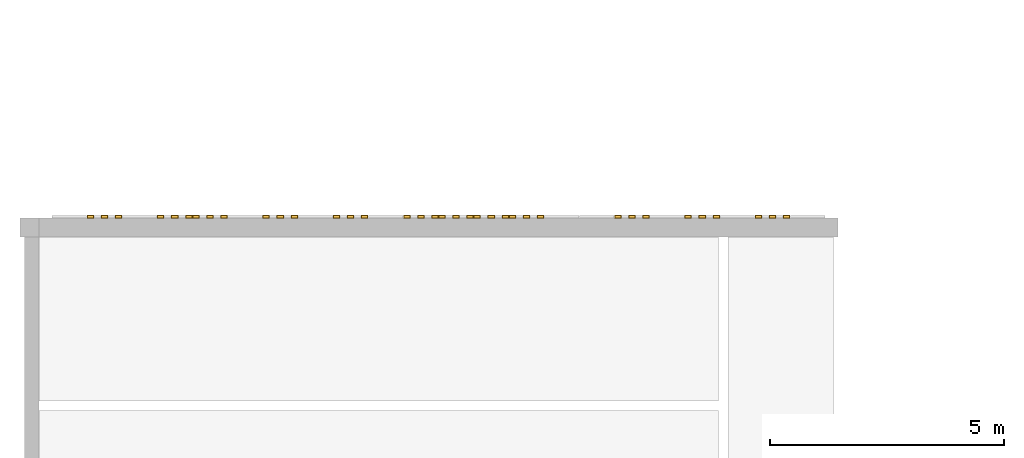
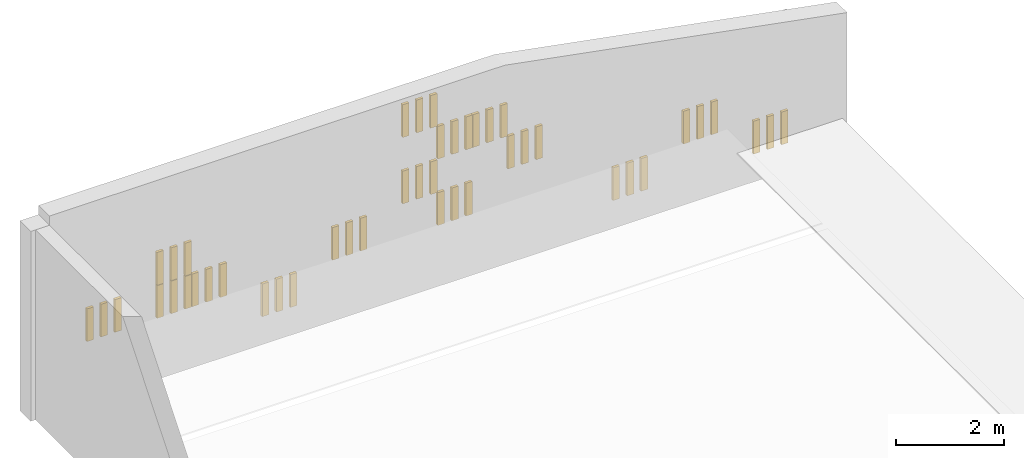
# One storey, part 85 of 92: 1 covering.
"""IFC4 building model written with IfcOpenShell, lengths in metres."""

from ifc_helpers import new_model, si_unit, direction, frame, origin, origin_2d, place, context, subcontext, project, spatial, rectangle, extrude, material, layer, layer_set, type_object, element, save


model = new_model("IFC4")

# Units and contexts
model_context = context("Model", 3, precision=1e-05, world=origin(), true_north=direction((0.0, 1.0)))
body_context = subcontext(model_context, "Body", "Model", "MODEL_VIEW")
ifc_project = project(units=[si_unit("LENGTHUNIT", "METRE"), si_unit("AREAUNIT", "SQUARE_METRE"), si_unit("VOLUMEUNIT", "CUBIC_METRE"), si_unit("PLANEANGLEUNIT", "RADIAN"), si_unit("MASSUNIT", "GRAM", prefix="KILO")], contexts=[model_context])

# Site, building, storey
site_placement = place(None, origin())
site = spatial("IfcSite", under=ifc_project, at=site_placement, CompositionType="ELEMENT")
building_placement = place(site_placement, origin())
building = spatial("IfcBuilding", under=site, at=building_placement, Name="Sun Court Science Centre", CompositionType="ELEMENT")
storey_placement = place(building_placement, frame((0.0, 0.0, 11.25)))
storey = spatial("IfcBuildingStorey", under=building, at=storey_placement, Name="L02", CompositionType="ELEMENT", Elevation=11.25)

# Covering
ifc_material = material(Name="Red sandstone", Category="masonry")
ifc_layer = layer(ifc_material, 0.06005859375)
ifc_layer_set = layer_set([ifc_layer], Name="Red sandstone")
covering_type = type_object("IfcCoveringType", Name="Red sandstone jali relief 750", PredefinedType="CLADDING", material=ifc_layer_set)
covering_placement = place(storey_placement, frame((0.0, 0.0, -11.25)))
element("IfcCovering", 1, at=covering_placement, inside=storey, type_object=covering_type, Name="Red sandstone jali relief theatre-STAGE-north face-L02 L02", PredefinedType="CLADDING", context=body_context, shape_type="SweptSolid", body=[
    extrude(rectangle(XDim=0.139892578125, YDim=0.06005859375, at=origin_2d()), frame((5.25, 72.030029296875, 11.2548828125), z_axis=(0.0, 0.0, 1.0), x_axis=(1.0, 0.0, 0.0)), (0.0, 0.0, 1.0), 0.739990234375),
    extrude(rectangle(XDim=0.139892578125, YDim=0.06005859375, at=origin_2d()), frame((5.550048828125, 72.030029296875, 11.2548828125), z_axis=(0.0, 0.0, 1.0), x_axis=(1.0, 0.0, 0.0)), (0.0, 0.0, 1.0), 0.739990234375),
    extrude(rectangle(XDim=0.139892578125, YDim=0.06005859375, at=origin_2d()), frame((5.85009765625, 72.030029296875, 11.2548828125), z_axis=(0.0, 0.0, 1.0), x_axis=(1.0, 0.0, 0.0)), (0.0, 0.0, 1.0), 0.739990234375),
    extrude(rectangle(XDim=0.139892578125, YDim=0.06005859375, at=origin_2d()), frame((12.75, 72.030029296875, 11.2548828125), z_axis=(0.0, 0.0, 1.0), x_axis=(1.0, 0.0, 0.0)), (0.0, 0.0, 1.0), 0.739990234375),
    extrude(rectangle(XDim=0.139892578125, YDim=0.06005859375, at=origin_2d()), frame((13.050048828125, 72.030029296875, 11.2548828125), z_axis=(0.0, 0.0, 1.0), x_axis=(1.0, 0.0, 0.0)), (0.0, 0.0, 1.0), 0.739990234375),
    extrude(rectangle(XDim=0.139892578125, YDim=0.06005859375, at=origin_2d()), frame((13.35009765625, 72.030029296875, 11.2548828125), z_axis=(0.0, 0.0, 1.0), x_axis=(1.0, 0.0, 0.0)), (0.0, 0.0, 1.0), 0.739990234375),
    extrude(rectangle(XDim=0.139892578125, YDim=0.06005859375, at=origin_2d()), frame((15.75, 72.030029296875, 11.2548828125), z_axis=(0.0, 0.0, 1.0), x_axis=(1.0, 0.0, 0.0)), (0.0, 0.0, 1.0), 0.739990234375),
    extrude(rectangle(XDim=0.139892578125, YDim=0.06005859375, at=origin_2d()), frame((16.050048828125, 72.030029296875, 11.2548828125), z_axis=(0.0, 0.0, 1.0), x_axis=(1.0, 0.0, 0.0)), (0.0, 0.0, 1.0), 0.739990234375),
    extrude(rectangle(XDim=0.139892578125, YDim=0.06005859375, at=origin_2d()), frame((16.35009765625, 72.030029296875, 11.2548828125), z_axis=(0.0, 0.0, 1.0), x_axis=(1.0, 0.0, 0.0)), (0.0, 0.0, 1.0), 0.739990234375),
    extrude(rectangle(XDim=0.139892578125, YDim=0.06005859375, at=origin_2d()), frame((1.5, 72.030029296875, 12.0048828125), z_axis=(0.0, 0.0, 1.0), x_axis=(1.0, 0.0, 0.0)), (0.0, 0.0, 1.0), 0.739990234375),
    extrude(rectangle(XDim=0.139892578125, YDim=0.06005859375, at=origin_2d()), frame((1.800048828125, 72.030029296875, 12.0048828125), z_axis=(0.0, 0.0, 1.0), x_axis=(1.0, 0.0, 0.0)), (0.0, 0.0, 1.0), 0.739990234375),
    extrude(rectangle(XDim=0.139892578125, YDim=0.06005859375, at=origin_2d()), frame((2.10009765625, 72.030029296875, 12.0048828125), z_axis=(0.0, 0.0, 1.0), x_axis=(1.0, 0.0, 0.0)), (0.0, 0.0, 1.0), 0.739990234375),
    extrude(rectangle(XDim=0.139892578125, YDim=0.06005859375, at=origin_2d()), frame((3.0, 72.030029296875, 12.0048828125), z_axis=(0.0, 0.0, 1.0), x_axis=(1.0, 0.0, 0.0)), (0.0, 0.0, 1.0), 0.739990234375),
    extrude(rectangle(XDim=0.139892578125, YDim=0.06005859375, at=origin_2d()), frame((3.300048828125, 72.030029296875, 12.0048828125), z_axis=(0.0, 0.0, 1.0), x_axis=(1.0, 0.0, 0.0)), (0.0, 0.0, 1.0), 0.739990234375),
    extrude(rectangle(XDim=0.139892578125, YDim=0.06005859375, at=origin_2d()), frame((3.60009765625, 72.030029296875, 12.0048828125), z_axis=(0.0, 0.0, 1.0), x_axis=(1.0, 0.0, 0.0)), (0.0, 0.0, 1.0), 0.739990234375),
    extrude(rectangle(XDim=0.139892578125, YDim=0.06005859375, at=origin_2d()), frame((3.75, 72.030029296875, 12.0048828125), z_axis=(0.0, 0.0, 1.0), x_axis=(1.0, 0.0, 0.0)), (0.0, 0.0, 1.0), 0.739990234375),
    extrude(rectangle(XDim=0.139892578125, YDim=0.06005859375, at=origin_2d()), frame((4.050048828125, 72.030029296875, 12.0048828125), z_axis=(0.0, 0.0, 1.0), x_axis=(1.0, 0.0, 0.0)), (0.0, 0.0, 1.0), 0.739990234375),
    extrude(rectangle(XDim=0.139892578125, YDim=0.06005859375, at=origin_2d()), frame((4.35009765625, 72.030029296875, 12.0048828125), z_axis=(0.0, 0.0, 1.0), x_axis=(1.0, 0.0, 0.0)), (0.0, 0.0, 1.0), 0.739990234375),
    extrude(rectangle(XDim=0.139892578125, YDim=0.06005859375, at=origin_2d()), frame((6.75, 72.030029296875, 12.0048828125), z_axis=(0.0, 0.0, 1.0), x_axis=(1.0, 0.0, 0.0)), (0.0, 0.0, 1.0), 0.739990234375),
    extrude(rectangle(XDim=0.139892578125, YDim=0.06005859375, at=origin_2d()), frame((7.050048828125, 72.030029296875, 12.0048828125), z_axis=(0.0, 0.0, 1.0), x_axis=(1.0, 0.0, 0.0)), (0.0, 0.0, 1.0), 0.739990234375),
    extrude(rectangle(XDim=0.139892578125, YDim=0.06005859375, at=origin_2d()), frame((7.35009765625, 72.030029296875, 12.0048828125), z_axis=(0.0, 0.0, 1.0), x_axis=(1.0, 0.0, 0.0)), (0.0, 0.0, 1.0), 0.739990234375),
    extrude(rectangle(XDim=0.139892578125, YDim=0.06005859375, at=origin_2d()), frame((9.0, 72.030029296875, 12.0048828125), z_axis=(0.0, 0.0, 1.0), x_axis=(1.0, 0.0, 0.0)), (0.0, 0.0, 1.0), 0.739990234375),
    extrude(rectangle(XDim=0.139892578125, YDim=0.06005859375, at=origin_2d()), frame((9.300048828125, 72.030029296875, 12.0048828125), z_axis=(0.0, 0.0, 1.0), x_axis=(1.0, 0.0, 0.0)), (0.0, 0.0, 1.0), 0.739990234375),
    extrude(rectangle(XDim=0.139892578125, YDim=0.06005859375, at=origin_2d()), frame((9.60009765625, 72.030029296875, 12.0048828125), z_axis=(0.0, 0.0, 1.0), x_axis=(1.0, 0.0, 0.0)), (0.0, 0.0, 1.0), 0.739990234375),
    extrude(rectangle(XDim=0.139892578125, YDim=0.06005859375, at=origin_2d()), frame((14.25, 72.030029296875, 12.0048828125), z_axis=(0.0, 0.0, 1.0), x_axis=(1.0, 0.0, 0.0)), (0.0, 0.0, 1.0), 0.739990234375),
    extrude(rectangle(XDim=0.139892578125, YDim=0.06005859375, at=origin_2d()), frame((14.550048828125, 72.030029296875, 12.0048828125), z_axis=(0.0, 0.0, 1.0), x_axis=(1.0, 0.0, 0.0)), (0.0, 0.0, 1.0), 0.739990234375),
    extrude(rectangle(XDim=0.139892578125, YDim=0.06005859375, at=origin_2d()), frame((14.85009765625, 72.030029296875, 12.0048828125), z_axis=(0.0, 0.0, 1.0), x_axis=(1.0, 0.0, 0.0)), (0.0, 0.0, 1.0), 0.739990234375),
    extrude(rectangle(XDim=0.139892578125, YDim=0.06005859375, at=origin_2d()), frame((3.0, 72.030029296875, 12.7548828125), z_axis=(0.0, 0.0, 1.0), x_axis=(1.0, 0.0, 0.0)), (0.0, 0.0, 1.0), 0.739990234375),
    extrude(rectangle(XDim=0.139892578125, YDim=0.06005859375, at=origin_2d()), frame((3.300048828125, 72.030029296875, 12.7548828125), z_axis=(0.0, 0.0, 1.0), x_axis=(1.0, 0.0, 0.0)), (0.0, 0.0, 1.0), 0.739990234375),
    extrude(rectangle(XDim=0.139892578125, YDim=0.06005859375, at=origin_2d()), frame((3.60009765625, 72.030029296875, 12.7548828125), z_axis=(0.0, 0.0, 1.0), x_axis=(1.0, 0.0, 0.0)), (0.0, 0.0, 1.0), 0.739990234375),
    extrude(rectangle(XDim=0.139892578125, YDim=0.06005859375, at=origin_2d()), frame((8.25, 72.030029296875, 12.7548828125), z_axis=(0.0, 0.0, 1.0), x_axis=(1.0, 0.0, 0.0)), (0.0, 0.0, 1.0), 0.739990234375),
    extrude(rectangle(XDim=0.139892578125, YDim=0.06005859375, at=origin_2d()), frame((8.550048828125, 72.030029296875, 12.7548828125), z_axis=(0.0, 0.0, 1.0), x_axis=(1.0, 0.0, 0.0)), (0.0, 0.0, 1.0), 0.739990234375),
    extrude(rectangle(XDim=0.139892578125, YDim=0.06005859375, at=origin_2d()), frame((8.85009765625, 72.030029296875, 12.7548828125), z_axis=(0.0, 0.0, 1.0), x_axis=(1.0, 0.0, 0.0)), (0.0, 0.0, 1.0), 0.739990234375),
    extrude(rectangle(XDim=0.139892578125, YDim=0.06005859375, at=origin_2d()), frame((10.5, 72.030029296875, 12.7548828125), z_axis=(0.0, 0.0, 1.0), x_axis=(1.0, 0.0, 0.0)), (0.0, 0.0, 1.0), 0.739990234375),
    extrude(rectangle(XDim=0.139892578125, YDim=0.06005859375, at=origin_2d()), frame((10.800048828125, 72.030029296875, 12.7548828125), z_axis=(0.0, 0.0, 1.0), x_axis=(1.0, 0.0, 0.0)), (0.0, 0.0, 1.0), 0.739990234375),
    extrude(rectangle(XDim=0.139892578125, YDim=0.06005859375, at=origin_2d()), frame((11.10009765625, 72.030029296875, 12.7548828125), z_axis=(0.0, 0.0, 1.0), x_axis=(1.0, 0.0, 0.0)), (0.0, 0.0, 1.0), 0.739990234375),
    extrude(rectangle(XDim=0.139892578125, YDim=0.06005859375, at=origin_2d()), frame((9.0, 72.030029296875, 13.5048828125), z_axis=(0.0, 0.0, 1.0), x_axis=(1.0, 0.0, 0.0)), (0.0, 0.0, 1.0), 0.739990234375),
    extrude(rectangle(XDim=0.139892578125, YDim=0.06005859375, at=origin_2d()), frame((9.300048828125, 72.030029296875, 13.5048828125), z_axis=(0.0, 0.0, 1.0), x_axis=(1.0, 0.0, 0.0)), (0.0, 0.0, 1.0), 0.739990234375),
    extrude(rectangle(XDim=0.139892578125, YDim=0.06005859375, at=origin_2d()), frame((9.60009765625, 72.030029296875, 13.5048828125), z_axis=(0.0, 0.0, 1.0), x_axis=(1.0, 0.0, 0.0)), (0.0, 0.0, 1.0), 0.739990234375),
    extrude(rectangle(XDim=0.139892578125, YDim=0.06005859375, at=origin_2d()), frame((9.75, 72.030029296875, 13.5048828125), z_axis=(0.0, 0.0, 1.0), x_axis=(1.0, 0.0, 0.0)), (0.0, 0.0, 1.0), 0.739990234375),
    extrude(rectangle(XDim=0.139892578125, YDim=0.06005859375, at=origin_2d()), frame((10.050048828125, 72.030029296875, 13.5048828125), z_axis=(0.0, 0.0, 1.0), x_axis=(1.0, 0.0, 0.0)), (0.0, 0.0, 1.0), 0.739990234375),
    extrude(rectangle(XDim=0.139892578125, YDim=0.06005859375, at=origin_2d()), frame((10.35009765625, 72.030029296875, 13.5048828125), z_axis=(0.0, 0.0, 1.0), x_axis=(1.0, 0.0, 0.0)), (0.0, 0.0, 1.0), 0.739990234375),
    extrude(rectangle(XDim=0.139892578125, YDim=0.06005859375, at=origin_2d()), frame((8.25, 72.030029296875, 14.2548828125), z_axis=(0.0, 0.0, 1.0), x_axis=(1.0, 0.0, 0.0)), (0.0, 0.0, 1.0), 0.739990234375),
    extrude(rectangle(XDim=0.139892578125, YDim=0.06005859375, at=origin_2d()), frame((8.550048828125, 72.030029296875, 14.2548828125), z_axis=(0.0, 0.0, 1.0), x_axis=(1.0, 0.0, 0.0)), (0.0, 0.0, 1.0), 0.739990234375),
    extrude(rectangle(XDim=0.139892578125, YDim=0.06005859375, at=origin_2d()), frame((8.85009765625, 72.030029296875, 14.2548828125), z_axis=(0.0, 0.0, 1.0), x_axis=(1.0, 0.0, 0.0)), (0.0, 0.0, 1.0), 0.739990234375),
])

save(model, "model.ifc")
